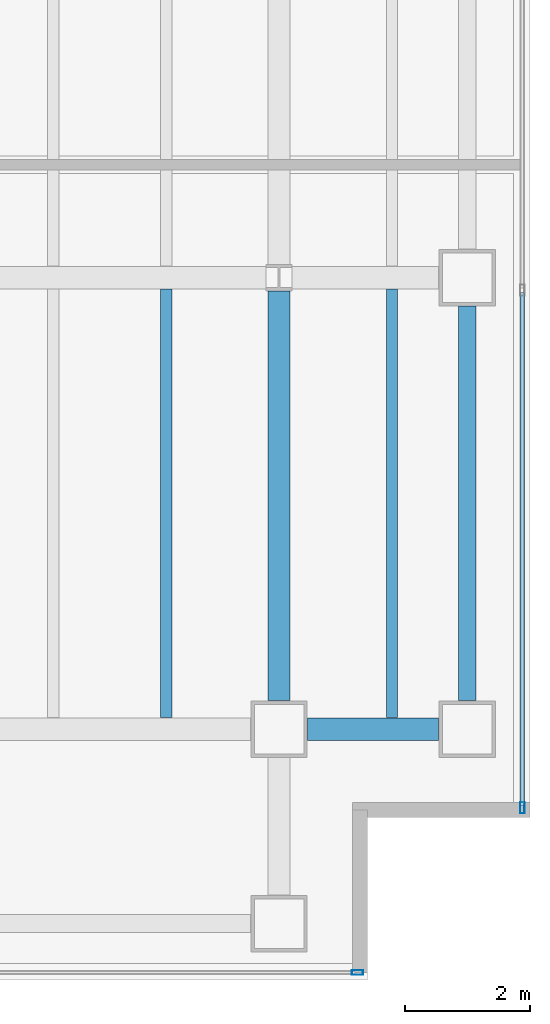
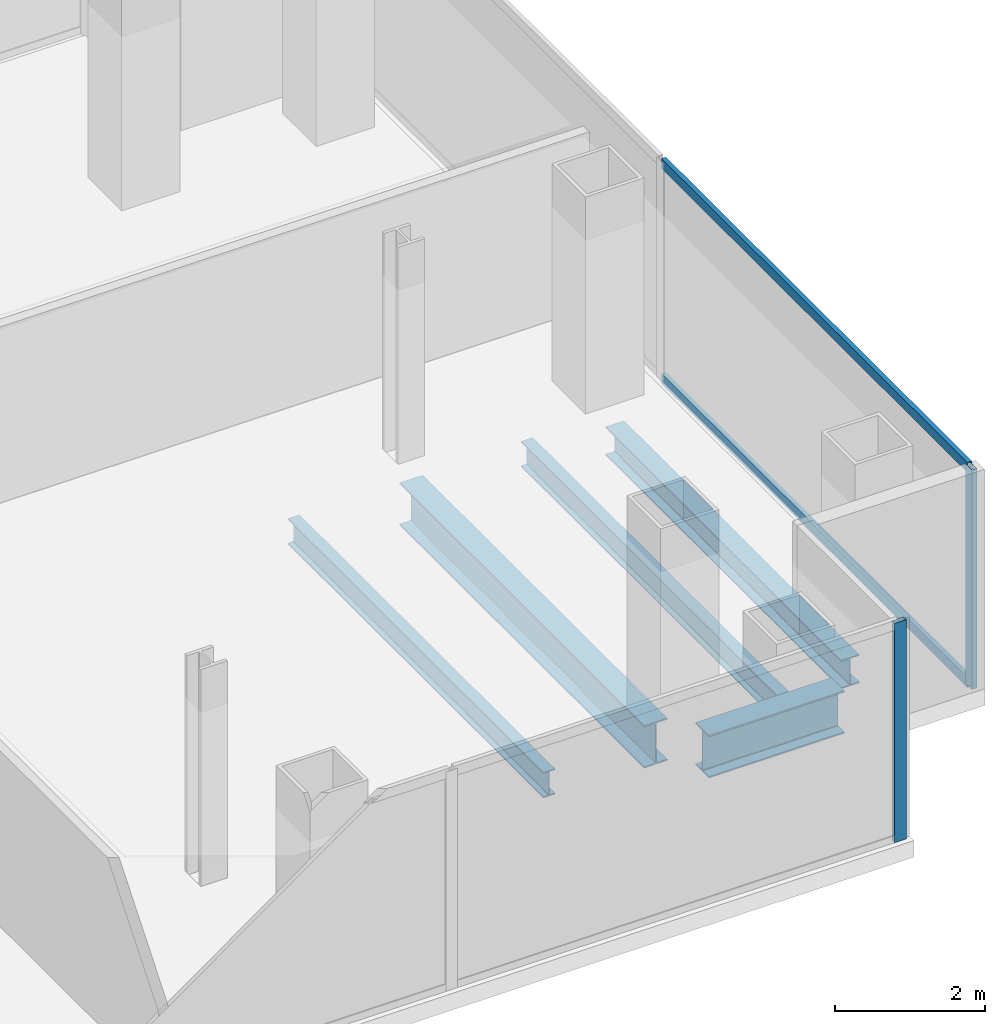
# One storey, part 11 of 23: 5 beams, 4 members, 2 elements without a shape of their own.
"""IFC4 building model written with IfcOpenShell, lengths in metres."""

import ifcopenshell
import ifcopenshell.guid

model = None  # the IFC model being written
_history = None  # IfcOwnerHistory: only IFC2X3 demands one
_inside = {}  # id of a spatial element -> (the spatial element, [elements in it])
_under = {}  # id of a project, library or spatial element -> (it, [spatial elements below it])
_declared = {}  # id of a project -> (the project, [libraries it declares])
_typed = {}  # id of a type object -> (the type object, [elements of that type])
_made_of = {}  # id of a material, layer set ... -> (it, [elements and type objects made of it])


def new_model(schema):
    """Start an empty IFC model of exactly this schema.

    Asked for "IFC4X3", IfcOpenShell would pick the latest addendum, in which some entities
    have other attributes; the version numbers below select the first issue.
    IFC2X3 requires an IfcOwnerHistory on every rooted entity: one is made here for all.
    """
    global model, _history
    if schema == "IFC4X3":
        model = ifcopenshell.file(schema_version=(4, 3, 0, 0))
    else:
        model = ifcopenshell.file(schema=schema)
    _inside.clear()
    _under.clear()
    _declared.clear()
    _typed.clear()
    _made_of.clear()
    _history = None
    if model.schema == "IFC2X3":
        org = make("IfcOrganization", Name="unknown")
        user = make(
            "IfcPersonAndOrganization",
            ThePerson=make("IfcPerson", FamilyName="unknown"),
            TheOrganization=org,
        )
        app = make(
            "IfcApplication",
            ApplicationDeveloper=org,
            Version="unknown",
            ApplicationFullName="unknown",
            ApplicationIdentifier="unknown",
        )
        _history = make(
            "IfcOwnerHistory",
            OwningUser=user,
            OwningApplication=app,
            ChangeAction="ADDED",
            CreationDate=0,
        )
    return model


def make(cls, **values):
    """One entity of the class cls with the attributes given. An attribute that is None is left unset."""
    return model.create_entity(
        cls, **{name: value for name, value in values.items() if value is not None}
    )


def rooted(cls, **values):
    """An entity with a GlobalId (a new one), such as an element, a storey or a relation."""
    return make(cls, GlobalId=ifcopenshell.guid.new(), OwnerHistory=_history, **values)


def si_unit(unit_type, name, prefix=None):
    """IfcSIUnit, for example si_unit("LENGTHUNIT", "METRE", prefix="MILLI")."""
    return make("IfcSIUnit", UnitType=unit_type, Prefix=prefix, Name=name)


def assignment(units):
    """IfcUnitAssignment: the units of a project."""
    return None if units is None else make("IfcUnitAssignment", Units=units)


def point(xyz):
    """IfcCartesianPoint."""
    return None if xyz is None else make("IfcCartesianPoint", Coordinates=xyz)


def direction(xyz):
    """IfcDirection."""
    return None if xyz is None else make("IfcDirection", DirectionRatios=xyz)


def frame(location, z_axis=None, x_axis=None):
    """IfcAxis2Placement3D, a coordinate frame: its origin and axes. An axis left out is left unset."""
    return make(
        "IfcAxis2Placement3D",
        Location=point(location),
        Axis=direction(z_axis),
        RefDirection=direction(x_axis),
    )


def frame_2d(location, x_axis=None):
    """IfcAxis2Placement2D, a coordinate frame in the plane: its origin and x axis."""
    return make(
        "IfcAxis2Placement2D", Location=point(location), RefDirection=direction(x_axis)
    )


def origin():
    """The frame at (0, 0, 0) with its axes left unset."""
    return frame((0.0, 0.0, 0.0))


def origin_2d():
    """The frame at (0, 0) in the plane with its x axis left unset."""
    return frame_2d((0.0, 0.0))


def place(relative_to, where):
    """IfcLocalPlacement: puts the frame where relative to a parent placement (None: the world)."""
    return make(
        "IfcLocalPlacement", PlacementRelTo=relative_to, RelativePlacement=where
    )


def context(
    kind, dimensions, precision=None, world=None, true_north=None, identifier=None
):
    """IfcGeometricRepresentationContext, for example the 3D "Model" context."""
    return make(
        "IfcGeometricRepresentationContext",
        ContextIdentifier=identifier,
        ContextType=kind,
        CoordinateSpaceDimension=dimensions,
        Precision=precision,
        WorldCoordinateSystem=world,
        TrueNorth=true_north,
    )


def subcontext(parent, identifier, kind, view, scale=None):
    """IfcGeometricRepresentationSubContext, for example "Body" below "Model"."""
    return make(
        "IfcGeometricRepresentationSubContext",
        ContextIdentifier=identifier,
        ContextType=kind,
        ParentContext=parent,
        TargetScale=scale,
        TargetView=view,
    )


def project(units=None, contexts=None):
    """IfcProject with its units and contexts."""
    return rooted(
        "IfcProject",
        Name="project",
        RepresentationContexts=contexts,
        UnitsInContext=assignment(units),
    )


def spatial(cls, under=None, at=None, **own):
    """A site, building, storey or space (cls), placed at a placement, below another one or the project."""
    s = rooted(cls, ObjectPlacement=at, **own)
    if under is not None:
        _under.setdefault(under.id(), (under, []))[1].append(s)
    return s


def profile(cls, at=None, kind="AREA", **sizes):
    """A parametric profile (cls). Its sizes go by their IFC names, for example OverallWidth=200.0."""
    return make(cls, ProfileType=kind, Position=at, **sizes)


def hollow_rectangle(**sizes):
    """IfcRectangleHollowProfileDef."""
    return profile("IfcRectangleHollowProfileDef", **sizes)


def i_section(**sizes):
    """IfcIShapeProfileDef."""
    return profile("IfcIShapeProfileDef", **sizes)


def extrude(swept, where, along, depth):
    """IfcExtrudedAreaSolid: the profile swept, set in the frame where, extruded along a direction by depth."""
    return make(
        "IfcExtrudedAreaSolid",
        SweptArea=swept,
        Position=where,
        ExtrudedDirection=direction(along),
        Depth=depth,
    )


def shape(context_of_items, identifier, shape_type, items):
    """IfcShapeRepresentation: the items that make up one representation, for example the "Body"."""
    return make(
        "IfcShapeRepresentation",
        ContextOfItems=context_of_items,
        RepresentationIdentifier=identifier,
        RepresentationType=shape_type,
        Items=items,
    )


def material(Name=None, Category=None):
    """IfcMaterial."""
    return make("IfcMaterial", Name=Name, Category=Category)


def material_profile(
    of_material, cross_section, Name=None, Category=None, Priority=None
):
    """IfcMaterialProfile: a cross section and its material."""
    return make(
        "IfcMaterialProfile",
        Name=Name,
        Material=of_material,
        Profile=cross_section,
        Priority=Priority,
        Category=Category,
    )


def profile_set(profiles, Name=None, composite=None):
    """IfcMaterialProfileSet."""
    return make(
        "IfcMaterialProfileSet",
        Name=Name,
        MaterialProfiles=profiles,
        CompositeProfile=composite,
    )


def made_of(thing, what):
    """Note that an element or type object is made of a material, layer set ...; save() writes the relation."""
    if what is not None:
        _made_of.setdefault(what.id(), (what, []))[1].append(thing)
    return thing


def type_object(cls, material=None, **own):
    """A type object (cls), such as IfcWallType, which elements share."""
    return made_of(rooted(cls, **own), material)


def element(
    cls,
    number,
    at=None,
    inside=None,
    cuts=None,
    type_object=None,
    material=None,
    context=None,
    identifier="Body",
    shape_type=None,
    held_by="IfcProductDefinitionShape",
    body=None,
    shapes=None,
    **own,
):
    """One element of the class cls, such as IfcWall. Its Tag is "e" and its number.

    at: its placement. inside: the storey or other place that contains it. cuts: it is an
    opening in that element (IfcRelVoidsElement). A single representation is given by context,
    identifier, shape_type and body (its items); several are given by shapes. held_by: the class
    of the entity that holds the representations. save() writes the other relations.
    """
    e = rooted(cls, Tag="e%d" % number, ObjectPlacement=at, **own)
    if body is not None:
        shapes = [shape(context, identifier, shape_type, body)]
    if shapes is not None:
        e.Representation = make(held_by, Representations=shapes)
    if inside is not None:
        _inside.setdefault(inside.id(), (inside, []))[1].append(e)
    if cuts is not None:
        rooted(
            "IfcRelVoidsElement", RelatingBuildingElement=cuts, RelatedOpeningElement=e
        )
    if type_object is not None:
        _typed.setdefault(type_object.id(), (type_object, []))[1].append(e)
    return made_of(e, material)


def aggregate(whole, parts):
    """IfcRelAggregates: a whole, such as a stair, and the parts it consists of."""
    return rooted("IfcRelAggregates", RelatingObject=whole, RelatedObjects=parts)


def save(model, path):
    """Write the relations noted so far, then the file.

    IfcRelAggregates (storeys below a building ...), IfcRelContainedInSpatialStructure (elements
    in a storey), IfcRelDefinesByType, IfcRelAssociatesMaterial and IfcRelDeclares: one each for
    every whole, place, type object, material and project.
    """
    for whole, parts in _under.values():
        aggregate(whole, parts)
    for where, things in _inside.values():
        rooted(
            "IfcRelContainedInSpatialStructure",
            RelatedElements=things,
            RelatingStructure=where,
        )
    for kind, things in _typed.values():
        rooted("IfcRelDefinesByType", RelatedObjects=things, RelatingType=kind)
    for what, things in _made_of.values():
        rooted("IfcRelAssociatesMaterial", RelatedObjects=things, RelatingMaterial=what)
    for by, libraries in _declared.values():
        rooted("IfcRelDeclares", RelatingContext=by, RelatedDefinitions=libraries)
    model.write(path)


model = new_model("IFC4")

# Units and contexts
model_context = context("Model", 3, precision=1e-05, world=origin(), true_north=direction((0.0, 1.0)))
body_context = subcontext(model_context, "Body", "Model", "MODEL_VIEW")
ifc_project = project(units=[si_unit("LENGTHUNIT", "METRE"), si_unit("AREAUNIT", "SQUARE_METRE"), si_unit("VOLUMEUNIT", "CUBIC_METRE"), si_unit("PLANEANGLEUNIT", "RADIAN"), si_unit("MASSUNIT", "GRAM", prefix="KILO")], contexts=[model_context])

# Site, building, storey
site_placement = place(None, origin())
site = spatial("IfcSite", under=ifc_project, at=site_placement, CompositionType="ELEMENT")
building_placement = place(site_placement, origin())
building = spatial("IfcBuilding", under=site, at=building_placement, Name="Cobrela Telecom Tower", CompositionType="ELEMENT")
storey_placement = place(building_placement, frame((0.0, 0.0, 140.699951171875)))
storey = spatial("IfcBuildingStorey", under=building, at=storey_placement, Name="L35", CompositionType="ELEMENT", Elevation=140.699951171875)

# Beams
ifc_material_1 = material(Name="Steel ASTM A992 Grade 50", Category="steel")
ifc_material_profile_1 = material_profile(ifc_material_1, i_section(OverallWidth=0.35595703125, OverallDepth=0.696044921875, WebThickness=0.015380859375, FlangeThickness=0.024658203125, FilletRadius=0.01806640625, at=origin_2d()), Name="W27X146")
ifc_profile_set_1 = profile_set([ifc_material_profile_1], Name="Steel ASTM A992 Grade 50")
beam_type_1 = type_object("IfcBeamType", Name="BM-GIRD-05", PredefinedType="USERDEFINED", material=ifc_profile_set_1)
beam_1_placement = place(storey_placement, frame((43.655029296875, 7.199951171875, -0.617919921875), z_axis=(1.0, 0.0, 0.0), x_axis=(0.0, 1.0, 0.0)))
element("IfcBeam", 1, at=beam_1_placement, inside=storey, type_object=beam_type_1, Name="L35 Primary Girder X12", ObjectType="GIRDER", PredefinedType="USERDEFINED", context=body_context, shape_type="SweptSolid", body=[
    extrude(i_section(OverallWidth=0.35595703125, OverallDepth=0.696044921875, WebThickness=0.015380859375, FlangeThickness=0.024658203125, FilletRadius=0.01806640625, at=origin_2d()), origin(), (0.0, 0.0, 1.0), 2.090087890625),
])
beam_2_placement = place(storey_placement, frame((43.199951171875, 7.655029296875, -0.617919921875), z_axis=(0.0, 1.0, 0.0), x_axis=(-1.0, 0.0, 0.0)))
element("IfcBeam", 2, at=beam_2_placement, inside=storey, type_object=beam_type_1, Name="L35 Primary Girder Y53", ObjectType="GIRDER", PredefinedType="USERDEFINED", context=body_context, shape_type="SweptSolid", body=[
    extrude(i_section(OverallWidth=0.35595703125, OverallDepth=0.696044921875, WebThickness=0.015380859375, FlangeThickness=0.024658203125, FilletRadius=0.01806640625, at=origin_2d()), origin(), (0.0, 0.0, 1.0), 6.535400390625),
])
ifc_material_profile_2 = material_profile(ifc_material_1, i_section(OverallWidth=0.179931640625, OverallDepth=0.4169921875, WebThickness=0.010986328125, FlangeThickness=0.01806640625, FilletRadius=0.011962890625, at=origin_2d()), Name="W16X57")
ifc_profile_set_2 = profile_set([ifc_material_profile_2], Name="Steel ASTM A992 Grade 50")
beam_type_2 = type_object("IfcBeamType", Name="BM-JOIST-04", PredefinedType="JOIST", material=ifc_profile_set_2)
for number, where, z_axis, x_axis, name in (
    (3, (41.39990234375, 7.383056640625, -0.478515625), (0.0, 1.0, 0.0), (-1.0, 0.0, 0.0), "L35 Secondary Composite Floor Beam J37"),
    (4, (45.0, 7.383056640625, -0.478515625), (0.0, 1.0, 0.0), (-1.0, 0.0, 0.0), "L35 Secondary Composite Floor Beam J39"),
):
    element("IfcBeam", number, at=place(storey_placement, frame(where, z_axis=z_axis, x_axis=x_axis)), inside=storey, type_object=beam_type_2, Name=name, PredefinedType="JOIST", context=body_context, shape_type="SweptSolid", body=[
        extrude(i_section(OverallWidth=0.179931640625, OverallDepth=0.4169921875, WebThickness=0.010986328125, FlangeThickness=0.01806640625, FilletRadius=0.011962890625, at=origin_2d()), origin(), (0.0, 0.0, 1.0), 6.833984375),
    ])
ifc_material_profile_3 = material_profile(ifc_material_1, i_section(OverallWidth=0.281982421875, OverallDepth=0.467041015625, WebThickness=0.01220703125, FlangeThickness=0.01953125, FilletRadius=0.012939453125, at=origin_2d()), Name="W18X86")
ifc_profile_set_3 = profile_set([ifc_material_profile_3], Name="Steel ASTM A992 Grade 50")
beam_type_3 = type_object("IfcBeamType", Name="BM-SPAND-04", PredefinedType="SPANDREL", material=ifc_profile_set_3)
beam_3_placement = place(storey_placement, frame((46.199951171875, 7.655029296875, -0.50341796875), z_axis=(0.0, 1.0, 0.0), x_axis=(-1.0, 0.0, 0.0)))
element("IfcBeam", 5, at=beam_3_placement, inside=storey, type_object=beam_type_3, Name="L35 Perimeter Spandrel Y55", PredefinedType="SPANDREL", context=body_context, shape_type="SweptSolid", body=[
    extrude(i_section(OverallWidth=0.281982421875, OverallDepth=0.467041015625, WebThickness=0.01220703125, FlangeThickness=0.01953125, FilletRadius=0.012939453125, at=origin_2d()), origin(), (0.0, 0.0, 1.0), 6.2900390625),
])

# Curtain wall, member
ifc_material_2 = material(Name="Anodized Bronze Aluminium 6063-T6", Category="aluminium")
curtain_wall_type = type_object("IfcCurtainWallType", Name="CW-SYS-TEL", PredefinedType="USERDEFINED", material=ifc_material_2)
curtain_wall_1_placement = place(storey_placement, origin())
curtain_wall_1 = element("IfcCurtainWall", 6, at=curtain_wall_1_placement, inside=storey, type_object=curtain_wall_type, Name="L35 Unitised Bronze Curtain Wall 14", ObjectType="UNITISED CURTAIN WALL", PredefinedType="USERDEFINED")
ifc_material_profile_4 = material_profile(ifc_material_2, hollow_rectangle(XDim=0.074951171875, YDim=0.179931640625, WallThickness=0.00390625, at=origin_2d()), Name="ALU 75x180x4")
ifc_profile_set_4 = profile_set([ifc_material_profile_4], Name="Anodized Bronze Aluminium 6063-T6")
member_type_1 = type_object("IfcMemberType", Name="CW-SYS-TEL-MUL", PredefinedType="MULLION", material=ifc_profile_set_4)
member_1_placement = place(storey_placement, frame((47.080078125, 5.947509765625, 0.0), z_axis=(0.0, 0.0, 1.0), x_axis=(1.0, 0.0, 0.0)))
member_1 = element("IfcMember", 7, at=member_1_placement, type_object=member_type_1, Name="CW-TEL mullion 3", PredefinedType="MULLION", context=body_context, shape_type="SweptSolid", body=[
    extrude(hollow_rectangle(XDim=0.074951171875, YDim=0.179931640625, WallThickness=0.00390625, at=origin_2d()), origin(), (0.0, 0.0, 1.0), 3.580078125),
])

curtain_wall_2_placement = place(storey_placement, origin())
curtain_wall_2 = element("IfcCurtainWall", 8, at=curtain_wall_2_placement, inside=storey, type_object=curtain_wall_type, Name="L35 Unitised Bronze Curtain Wall 17", ObjectType="UNITISED CURTAIN WALL", PredefinedType="USERDEFINED")
member_2_placement = place(storey_placement, frame((44.452392578125, 3.320068359375, 0.0), z_axis=(0.0, 0.0, 1.0), x_axis=(0.0, -1.0, 0.0)))
member_2 = element("IfcMember", 9, at=member_2_placement, type_object=member_type_1, Name="CW-TEL mullion 1", PredefinedType="MULLION", context=body_context, shape_type="SweptSolid", body=[
    extrude(hollow_rectangle(XDim=0.074951171875, YDim=0.179931640625, WallThickness=0.00390625, at=origin_2d()), origin(), (0.0, 0.0, 1.0), 3.580078125),
])
aggregate(curtain_wall_2, [member_2])

# Member
ifc_material_profile_5 = material_profile(ifc_material_2, hollow_rectangle(XDim=0.070068359375, YDim=0.159912109375, WallThickness=0.00390625, at=origin_2d()), Name="ALU 70x160x4")
ifc_profile_set_5 = profile_set([ifc_material_profile_5], Name="Anodized Bronze Aluminium 6063-T6")
member_type_2 = type_object("IfcMemberType", Name="CW-SYS-TEL-TRN", PredefinedType="USERDEFINED", material=ifc_profile_set_5)
member_3_placement = place(storey_placement, frame((47.080078125, 14.16259765625, 0.03515625), z_axis=(0.0, -1.0, 0.0), x_axis=(1.0, 0.0, 0.0)))
member_3 = element("IfcMember", 10, at=member_3_placement, type_object=member_type_2, Name="CW-TEL transom 2.1", ObjectType="TRANSOM", PredefinedType="USERDEFINED", context=body_context, shape_type="SweptSolid", body=[
    extrude(hollow_rectangle(XDim=0.070068359375, YDim=0.159912109375, WallThickness=0.00390625, at=origin_2d()), origin(), (0.0, 0.0, 1.0), 8.177490234375),
])

member_4_placement = place(storey_placement, frame((47.080078125, 14.16259765625, 3.545166015625), z_axis=(0.0, -1.0, 0.0), x_axis=(1.0, 0.0, 0.0)))
member_4 = element("IfcMember", 11, at=member_4_placement, type_object=member_type_2, Name="CW-TEL transom 2.2", ObjectType="TRANSOM", PredefinedType="USERDEFINED", context=body_context, shape_type="SweptSolid", body=[
    extrude(hollow_rectangle(XDim=0.070068359375, YDim=0.159912109375, WallThickness=0.00390625, at=origin_2d()), origin(), (0.0, 0.0, 1.0), 8.177490234375),
])

aggregate(curtain_wall_1, [member_1, member_3, member_4])

save(model, "model.ifc")
